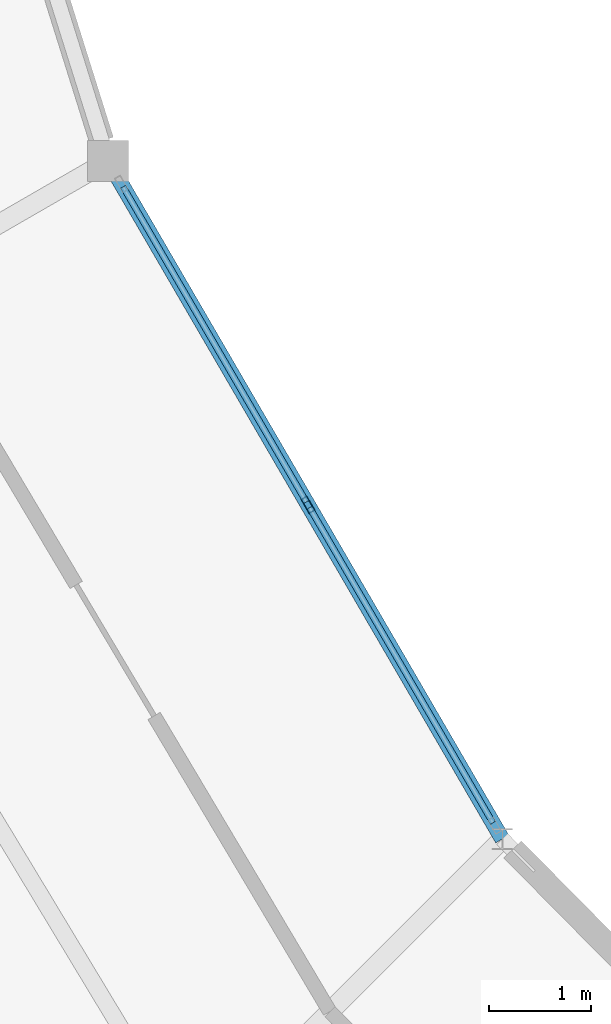
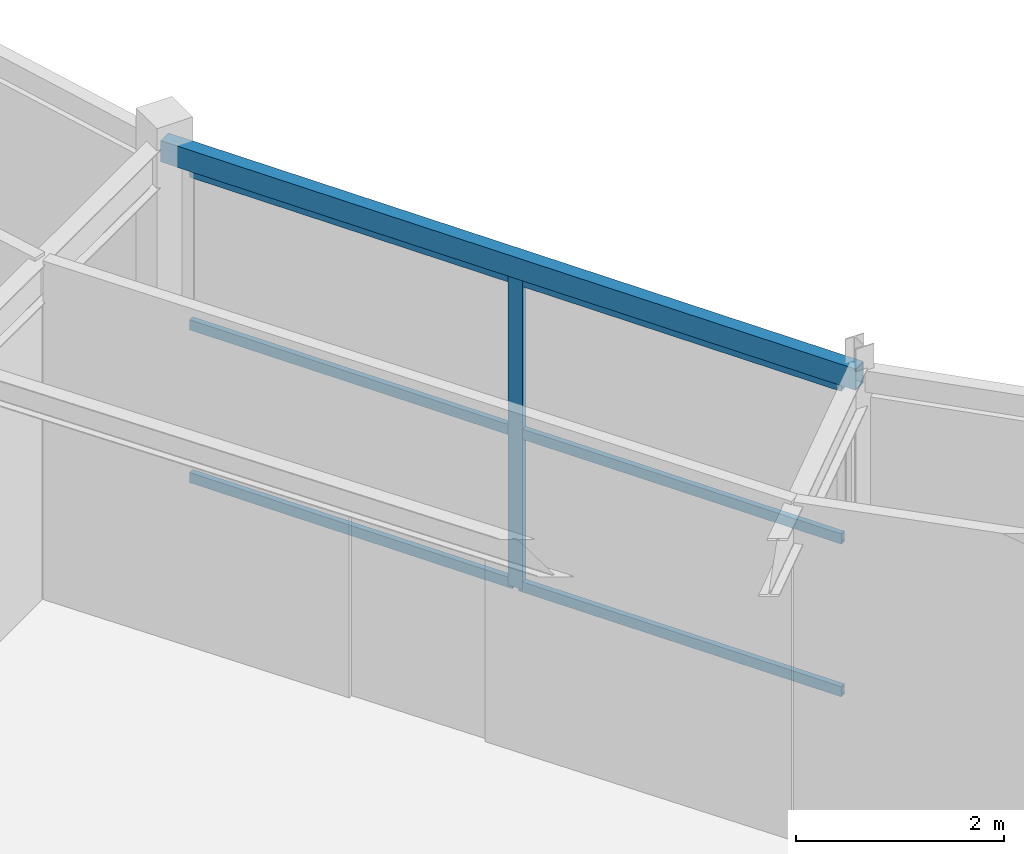
# One storey, part 36 of 157: 7 members, 1 beam, 1 element without a shape of its own.
"""IFC4 building model written with IfcOpenShell, lengths in metres."""

import ifcopenshell
import ifcopenshell.guid

model = None  # the IFC model being written
_history = None  # IfcOwnerHistory: only IFC2X3 demands one
_inside = {}  # id of a spatial element -> (the spatial element, [elements in it])
_under = {}  # id of a project, library or spatial element -> (it, [spatial elements below it])
_declared = {}  # id of a project -> (the project, [libraries it declares])
_typed = {}  # id of a type object -> (the type object, [elements of that type])
_made_of = {}  # id of a material, layer set ... -> (it, [elements and type objects made of it])


def new_model(schema):
    """Start an empty IFC model of exactly this schema.

    Asked for "IFC4X3", IfcOpenShell would pick the latest addendum, in which some entities
    have other attributes; the version numbers below select the first issue.
    IFC2X3 requires an IfcOwnerHistory on every rooted entity: one is made here for all.
    """
    global model, _history
    if schema == "IFC4X3":
        model = ifcopenshell.file(schema_version=(4, 3, 0, 0))
    else:
        model = ifcopenshell.file(schema=schema)
    _inside.clear()
    _under.clear()
    _declared.clear()
    _typed.clear()
    _made_of.clear()
    _history = None
    if model.schema == "IFC2X3":
        org = make("IfcOrganization", Name="unknown")
        user = make(
            "IfcPersonAndOrganization",
            ThePerson=make("IfcPerson", FamilyName="unknown"),
            TheOrganization=org,
        )
        app = make(
            "IfcApplication",
            ApplicationDeveloper=org,
            Version="unknown",
            ApplicationFullName="unknown",
            ApplicationIdentifier="unknown",
        )
        _history = make(
            "IfcOwnerHistory",
            OwningUser=user,
            OwningApplication=app,
            ChangeAction="ADDED",
            CreationDate=0,
        )
    return model


def make(cls, **values):
    """One entity of the class cls with the attributes given. An attribute that is None is left unset."""
    return model.create_entity(
        cls, **{name: value for name, value in values.items() if value is not None}
    )


def rooted(cls, **values):
    """An entity with a GlobalId (a new one), such as an element, a storey or a relation."""
    return make(cls, GlobalId=ifcopenshell.guid.new(), OwnerHistory=_history, **values)


def si_unit(unit_type, name, prefix=None):
    """IfcSIUnit, for example si_unit("LENGTHUNIT", "METRE", prefix="MILLI")."""
    return make("IfcSIUnit", UnitType=unit_type, Prefix=prefix, Name=name)


def assignment(units):
    """IfcUnitAssignment: the units of a project."""
    return None if units is None else make("IfcUnitAssignment", Units=units)


def point(xyz):
    """IfcCartesianPoint."""
    return None if xyz is None else make("IfcCartesianPoint", Coordinates=xyz)


def direction(xyz):
    """IfcDirection."""
    return None if xyz is None else make("IfcDirection", DirectionRatios=xyz)


def frame(location, z_axis=None, x_axis=None):
    """IfcAxis2Placement3D, a coordinate frame: its origin and axes. An axis left out is left unset."""
    return make(
        "IfcAxis2Placement3D",
        Location=point(location),
        Axis=direction(z_axis),
        RefDirection=direction(x_axis),
    )


def frame_2d(location, x_axis=None):
    """IfcAxis2Placement2D, a coordinate frame in the plane: its origin and x axis."""
    return make(
        "IfcAxis2Placement2D", Location=point(location), RefDirection=direction(x_axis)
    )


def origin():
    """The frame at (0, 0, 0) with its axes left unset."""
    return frame((0.0, 0.0, 0.0))


def origin_2d():
    """The frame at (0, 0) in the plane with its x axis left unset."""
    return frame_2d((0.0, 0.0))


def place(relative_to, where):
    """IfcLocalPlacement: puts the frame where relative to a parent placement (None: the world)."""
    return make(
        "IfcLocalPlacement", PlacementRelTo=relative_to, RelativePlacement=where
    )


def context(
    kind, dimensions, precision=None, world=None, true_north=None, identifier=None
):
    """IfcGeometricRepresentationContext, for example the 3D "Model" context."""
    return make(
        "IfcGeometricRepresentationContext",
        ContextIdentifier=identifier,
        ContextType=kind,
        CoordinateSpaceDimension=dimensions,
        Precision=precision,
        WorldCoordinateSystem=world,
        TrueNorth=true_north,
    )


def subcontext(parent, identifier, kind, view, scale=None):
    """IfcGeometricRepresentationSubContext, for example "Body" below "Model"."""
    return make(
        "IfcGeometricRepresentationSubContext",
        ContextIdentifier=identifier,
        ContextType=kind,
        ParentContext=parent,
        TargetScale=scale,
        TargetView=view,
    )


def project(units=None, contexts=None):
    """IfcProject with its units and contexts."""
    return rooted(
        "IfcProject",
        Name="project",
        RepresentationContexts=contexts,
        UnitsInContext=assignment(units),
    )


def spatial(cls, under=None, at=None, **own):
    """A site, building, storey or space (cls), placed at a placement, below another one or the project."""
    s = rooted(cls, ObjectPlacement=at, **own)
    if under is not None:
        _under.setdefault(under.id(), (under, []))[1].append(s)
    return s


def profile(cls, at=None, kind="AREA", **sizes):
    """A parametric profile (cls). Its sizes go by their IFC names, for example OverallWidth=200.0."""
    return make(cls, ProfileType=kind, Position=at, **sizes)


def hollow_rectangle(**sizes):
    """IfcRectangleHollowProfileDef."""
    return profile("IfcRectangleHollowProfileDef", **sizes)


def extrude(swept, where, along, depth):
    """IfcExtrudedAreaSolid: the profile swept, set in the frame where, extruded along a direction by depth."""
    return make(
        "IfcExtrudedAreaSolid",
        SweptArea=swept,
        Position=where,
        ExtrudedDirection=direction(along),
        Depth=depth,
    )


def shape(context_of_items, identifier, shape_type, items):
    """IfcShapeRepresentation: the items that make up one representation, for example the "Body"."""
    return make(
        "IfcShapeRepresentation",
        ContextOfItems=context_of_items,
        RepresentationIdentifier=identifier,
        RepresentationType=shape_type,
        Items=items,
    )


def material(Name=None, Category=None):
    """IfcMaterial."""
    return make("IfcMaterial", Name=Name, Category=Category)


def material_profile(
    of_material, cross_section, Name=None, Category=None, Priority=None
):
    """IfcMaterialProfile: a cross section and its material."""
    return make(
        "IfcMaterialProfile",
        Name=Name,
        Material=of_material,
        Profile=cross_section,
        Priority=Priority,
        Category=Category,
    )


def profile_set(profiles, Name=None, composite=None):
    """IfcMaterialProfileSet."""
    return make(
        "IfcMaterialProfileSet",
        Name=Name,
        MaterialProfiles=profiles,
        CompositeProfile=composite,
    )


def made_of(thing, what):
    """Note that an element or type object is made of a material, layer set ...; save() writes the relation."""
    if what is not None:
        _made_of.setdefault(what.id(), (what, []))[1].append(thing)
    return thing


def type_object(cls, material=None, **own):
    """A type object (cls), such as IfcWallType, which elements share."""
    return made_of(rooted(cls, **own), material)


def element(
    cls,
    number,
    at=None,
    inside=None,
    cuts=None,
    type_object=None,
    material=None,
    context=None,
    identifier="Body",
    shape_type=None,
    held_by="IfcProductDefinitionShape",
    body=None,
    shapes=None,
    **own,
):
    """One element of the class cls, such as IfcWall. Its Tag is "e" and its number.

    at: its placement. inside: the storey or other place that contains it. cuts: it is an
    opening in that element (IfcRelVoidsElement). A single representation is given by context,
    identifier, shape_type and body (its items); several are given by shapes. held_by: the class
    of the entity that holds the representations. save() writes the other relations.
    """
    e = rooted(cls, Tag="e%d" % number, ObjectPlacement=at, **own)
    if body is not None:
        shapes = [shape(context, identifier, shape_type, body)]
    if shapes is not None:
        e.Representation = make(held_by, Representations=shapes)
    if inside is not None:
        _inside.setdefault(inside.id(), (inside, []))[1].append(e)
    if cuts is not None:
        rooted(
            "IfcRelVoidsElement", RelatingBuildingElement=cuts, RelatedOpeningElement=e
        )
    if type_object is not None:
        _typed.setdefault(type_object.id(), (type_object, []))[1].append(e)
    return made_of(e, material)


def aggregate(whole, parts):
    """IfcRelAggregates: a whole, such as a stair, and the parts it consists of."""
    return rooted("IfcRelAggregates", RelatingObject=whole, RelatedObjects=parts)


def save(model, path):
    """Write the relations noted so far, then the file.

    IfcRelAggregates (storeys below a building ...), IfcRelContainedInSpatialStructure (elements
    in a storey), IfcRelDefinesByType, IfcRelAssociatesMaterial and IfcRelDeclares: one each for
    every whole, place, type object, material and project.
    """
    for whole, parts in _under.values():
        aggregate(whole, parts)
    for where, things in _inside.values():
        rooted(
            "IfcRelContainedInSpatialStructure",
            RelatedElements=things,
            RelatingStructure=where,
        )
    for kind, things in _typed.values():
        rooted("IfcRelDefinesByType", RelatedObjects=things, RelatingType=kind)
    for what, things in _made_of.values():
        rooted("IfcRelAssociatesMaterial", RelatedObjects=things, RelatingMaterial=what)
    for by, libraries in _declared.values():
        rooted("IfcRelDeclares", RelatingContext=by, RelatedDefinitions=libraries)
    model.write(path)


model = new_model("IFC4")

# Units and contexts
model_context = context("Model", 3, precision=1e-05, world=origin(), true_north=direction((0.0, 1.0)))
body_context = subcontext(model_context, "Body", "Model", "MODEL_VIEW")
ifc_project = project(units=[si_unit("LENGTHUNIT", "METRE"), si_unit("AREAUNIT", "SQUARE_METRE"), si_unit("VOLUMEUNIT", "CUBIC_METRE"), si_unit("PLANEANGLEUNIT", "RADIAN"), si_unit("MASSUNIT", "GRAM", prefix="KILO")], contexts=[model_context])

# Site, building, storey
site_placement = place(None, origin())
site = spatial("IfcSite", under=ifc_project, at=site_placement, CompositionType="ELEMENT")
building_placement = place(site_placement, origin())
building = spatial("IfcBuilding", under=site, at=building_placement, Name="Karori Crest Natural Sciences Institute", CompositionType="ELEMENT")
storey_placement = place(building_placement, frame((0.0, 0.0, 13.300048828125)))
storey = spatial("IfcBuildingStorey", under=building, at=storey_placement, Name="L03", CompositionType="ELEMENT", Elevation=13.300048828125)

# Beam
ifc_material_1 = material(Name="Hollow structural steel AS/NZS 1163 Grade C350", Category="steel")
ifc_material_profile_1 = material_profile(ifc_material_1, hollow_rectangle(XDim=0.14990234375, YDim=0.25, WallThickness=0.009033203125, at=origin_2d()), Name="RHS250x150x9")
ifc_profile_set_1 = profile_set([ifc_material_profile_1], Name="Hollow structural steel AS/NZS 1163 Grade C350")
beam_type = type_object("IfcBeamType", Name="BT-16", PredefinedType="SPANDREL", material=ifc_profile_set_1)
beam_placement = place(storey_placement, frame((45.26904296875, 33.800048828125, 3.7900390625), z_axis=(0.502634759064, -0.86449887159, 0.0), x_axis=(0.86449887159, 0.502634759064, 0.0)))
element("IfcBeam", 1, at=beam_placement, inside=storey, type_object=beam_type, Name="Beam B-0413", PredefinedType="SPANDREL", context=body_context, shape_type="SweptSolid", body=[
    extrude(hollow_rectangle(XDim=0.14990234375, YDim=0.25, WallThickness=0.009033203125, at=origin_2d()), origin(), (0.0, 0.0, 1.0), 7.714111328125),
])

# Curtain wall, members
ifc_material_2 = material(Name="Anodised architectural aluminium 6063-T6", Category="aluminium")
curtain_wall_type = type_object("IfcCurtainWallType", Name="CWT-15", PredefinedType="NOTDEFINED", material=ifc_material_2)
curtain_wall_placement = place(storey_placement, origin())
curtain_wall = element("IfcCurtainWall", 2, at=curtain_wall_placement, inside=storey, type_object=curtain_wall_type, Name="Curtain wall CW-0122", PredefinedType="NOTDEFINED")
ifc_material_profile_2 = material_profile(ifc_material_2, hollow_rectangle(XDim=0.06494140625, YDim=0.159912109375, WallThickness=0.00390625, at=origin_2d()), Name="CWM160x65x4")
ifc_profile_set_2 = profile_set([ifc_material_profile_2], Name="Anodised architectural aluminium 6063-T6")
member_type_1 = type_object("IfcMemberType", Name="CWM-01", PredefinedType="MULLION", material=ifc_profile_set_2)
member_1_placement = place(storey_placement, frame((47.2353515625, 30.418212890625, 0.0), z_axis=(0.0, 0.0, 1.0), x_axis=(0.864487154971, 0.502654910341, 0.0)))
member_1 = element("IfcMember", 3, at=member_1_placement, type_object=member_type_1, Name="CW-0122 mullion 2", PredefinedType="MULLION", context=body_context, shape_type="SweptSolid", body=[
    extrude(hollow_rectangle(XDim=0.06494140625, YDim=0.159912109375, WallThickness=0.00390625, at=origin_2d()), origin(), (0.0, 0.0, 1.0), 3.64990234375),
])
ifc_material_profile_3 = material_profile(ifc_material_2, hollow_rectangle(XDim=0.06005859375, YDim=0.1201171875, WallThickness=0.00390625, at=origin_2d()), Name="CWT120x60x4")
ifc_profile_set_3 = profile_set([ifc_material_profile_3], Name="Anodised architectural aluminium 6063-T6")
member_type_2 = type_object("IfcMemberType", Name="CWT-TR1", PredefinedType="USERDEFINED", material=ifc_profile_set_3)
member_2_placement = place(storey_placement, frame((45.4169921875, 33.54541015625, 0.030029296875), z_axis=(0.502659517686, -0.86448447602, 0.0), x_axis=(0.86448447602, 0.502659517686, 0.0)))
member_2 = element("IfcMember", 4, at=member_2_placement, type_object=member_type_2, Name="CW-0122 transom 1.1", ObjectType="TRANSOM", PredefinedType="USERDEFINED", context=body_context, shape_type="SweptSolid", body=[
    extrude(hollow_rectangle(XDim=0.06005859375, YDim=0.1201171875, WallThickness=0.00390625, at=origin_2d()), origin(), (0.0, 0.0, 1.0), 3.5849609375),
])
member_3_placement = place(storey_placement, frame((45.4169921875, 33.54541015625, 1.824951171875), z_axis=(0.502659517686, -0.86448447602, 0.0), x_axis=(0.86448447602, 0.502659517686, 0.0)))
member_3 = element("IfcMember", 5, at=member_3_placement, type_object=member_type_2, Name="CW-0122 transom 1.2", ObjectType="TRANSOM", PredefinedType="USERDEFINED", context=body_context, shape_type="SweptSolid", body=[
    extrude(hollow_rectangle(XDim=0.06005859375, YDim=0.1201171875, WallThickness=0.00390625, at=origin_2d()), origin(), (0.0, 0.0, 1.0), 3.5849609375),
])
member_4_placement = place(storey_placement, frame((45.4169921875, 33.54541015625, 3.619873046875), z_axis=(0.502659517686, -0.86448447602, 0.0), x_axis=(0.86448447602, 0.502659517686, 0.0)))
member_4 = element("IfcMember", 6, at=member_4_placement, type_object=member_type_2, Name="CW-0122 transom 1.3", ObjectType="TRANSOM", PredefinedType="USERDEFINED", context=body_context, shape_type="SweptSolid", body=[
    extrude(hollow_rectangle(XDim=0.06005859375, YDim=0.1201171875, WallThickness=0.00390625, at=origin_2d()), origin(), (0.0, 0.0, 1.0), 3.5849609375),
])
member_5_placement = place(storey_placement, frame((47.251708984375, 30.389892578125, 0.030029296875), z_axis=(0.502659517686, -0.86448447602, 0.0), x_axis=(0.86448447602, 0.502659517686, 0.0)))
member_5 = element("IfcMember", 7, at=member_5_placement, type_object=member_type_2, Name="CW-0122 transom 2.1", ObjectType="TRANSOM", PredefinedType="USERDEFINED", context=body_context, shape_type="SweptSolid", body=[
    extrude(hollow_rectangle(XDim=0.06005859375, YDim=0.1201171875, WallThickness=0.00390625, at=origin_2d()), origin(), (0.0, 0.0, 1.0), 3.5849609375),
])
member_6_placement = place(storey_placement, frame((47.251708984375, 30.389892578125, 1.824951171875), z_axis=(0.502659517686, -0.86448447602, 0.0), x_axis=(0.86448447602, 0.502659517686, 0.0)))
member_6 = element("IfcMember", 8, at=member_6_placement, type_object=member_type_2, Name="CW-0122 transom 2.2", ObjectType="TRANSOM", PredefinedType="USERDEFINED", context=body_context, shape_type="SweptSolid", body=[
    extrude(hollow_rectangle(XDim=0.06005859375, YDim=0.1201171875, WallThickness=0.00390625, at=origin_2d()), origin(), (0.0, 0.0, 1.0), 3.5849609375),
])
member_7_placement = place(storey_placement, frame((47.251708984375, 30.389892578125, 3.619873046875), z_axis=(0.502659517686, -0.86448447602, 0.0), x_axis=(0.86448447602, 0.502659517686, 0.0)))
member_7 = element("IfcMember", 9, at=member_7_placement, type_object=member_type_2, Name="CW-0122 transom 2.3", ObjectType="TRANSOM", PredefinedType="USERDEFINED", context=body_context, shape_type="SweptSolid", body=[
    extrude(hollow_rectangle(XDim=0.06005859375, YDim=0.1201171875, WallThickness=0.00390625, at=origin_2d()), origin(), (0.0, 0.0, 1.0), 3.5849609375),
])
aggregate(curtain_wall, [member_1, member_2, member_3, member_4, member_5, member_6, member_7])

save(model, "model.ifc")
